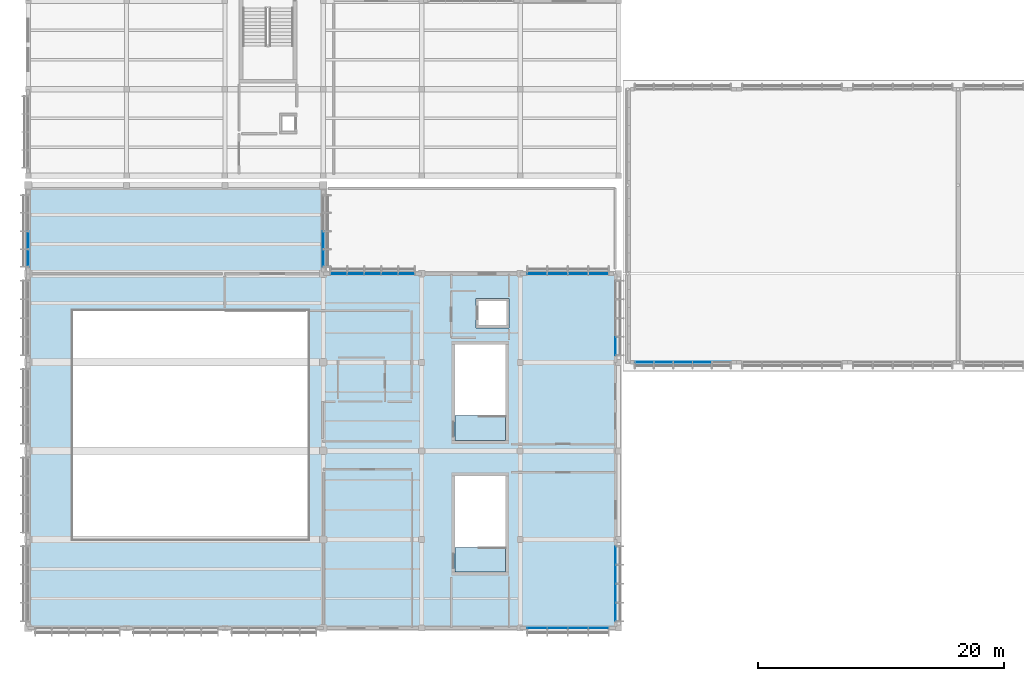
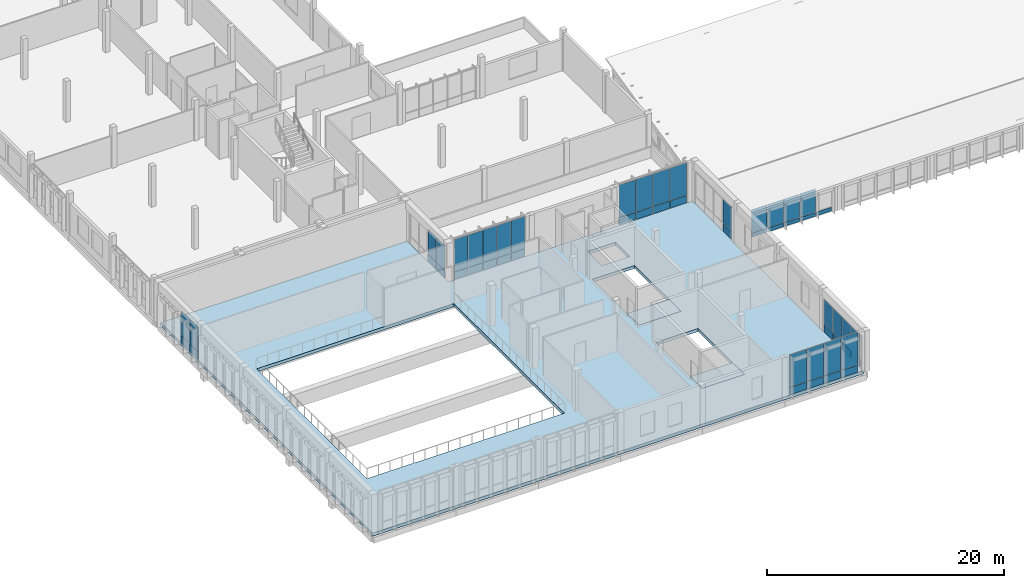
# One storey, part 145 of 182: 53 plates, 3 slabs, 8 elements without a shape of their own.
"""IFC4 building model written with IfcOpenShell, lengths in metres."""

from ifc_helpers import new_model, si_unit, direction, frame, origin, origin_2d, place, context, subcontext, project, spatial, polyline, rectangle, outline, extrude, material, layer, layer_set, type_object, element, aggregate, save


model = new_model("IFC4")

# Units and contexts
model_context = context("Model", 3, precision=1e-05, world=origin(), true_north=direction((0.0, 1.0)))
body_context = subcontext(model_context, "Body", "Model", "MODEL_VIEW")
ifc_project = project(units=[si_unit("LENGTHUNIT", "METRE"), si_unit("AREAUNIT", "SQUARE_METRE"), si_unit("VOLUMEUNIT", "CUBIC_METRE"), si_unit("PLANEANGLEUNIT", "RADIAN"), si_unit("MASSUNIT", "GRAM", prefix="KILO")], contexts=[model_context])

# Site, building, storey
site_placement = place(None, origin())
site = spatial("IfcSite", under=ifc_project, at=site_placement, CompositionType="ELEMENT")
building_placement = place(site_placement, origin())
building = spatial("IfcBuilding", under=site, at=building_placement, Name="Chiffa Square Polytechnic", CompositionType="ELEMENT")
storey_placement = place(building_placement, frame((0.0, 0.0, 9.60009765625)))
storey = spatial("IfcBuildingStorey", under=building, at=storey_placement, Name="L02", CompositionType="ELEMENT", Elevation=9.60009765625)

# Curtain wall, plates
ifc_material_1 = material(Name="Aluminium EN AW-6060 T66 and glulam shading", Category="wood")
curtain_wall_type_1 = type_object("IfcCurtainWallType", Name="CW-VERT-480X380", PredefinedType="USERDEFINED", material=ifc_material_1)
curtain_wall_1_placement = place(storey_placement, origin())
curtain_wall_1 = element("IfcCurtainWall", 1, at=curtain_wall_1_placement, inside=storey, type_object=curtain_wall_type_1, Name="Curtain wall CW-V3-L02-174", ObjectType="CURTAIN WALL", PredefinedType="USERDEFINED")
ifc_material_2 = material(Name="Double glazing", Category="glass")
ifc_layer_1 = layer(ifc_material_2, 0.0439453125, Name="Double glazing")
ifc_layer_set_1 = layer_set([ifc_layer_1], Name="Double glazing")
plate_type_1 = type_object("IfcPlateType", Name="CWP-GLZ-134X118", PredefinedType="CURTAIN_PANEL", material=ifc_layer_set_1)
plate_1_placement = place(storey_placement, frame((0.0, 31.541015625, 0.84033203125), z_axis=(0.0, 0.0, 1.0), x_axis=(0.0, -1.0, 0.0)))
plate_1 = element("IfcPlate", 2, at=plate_1_placement, type_object=plate_type_1, Name="Glazed curtain panel CW-V3-L02-174-PN03", PredefinedType="CURTAIN_PANEL", context=body_context, shape_type="SweptSolid", body=[
    extrude(rectangle(XDim=1.416015625, YDim=0.0439453125, at=origin_2d()), origin(), (0.0, 0.0, 1.0), 2.4951171875),
])
plate_2_placement = place(storey_placement, frame((0.0, 30.0849609375, 0.84033203125), z_axis=(0.0, 0.0, 1.0), x_axis=(0.0, -1.0, 0.0)))
plate_2 = element("IfcPlate", 3, at=plate_2_placement, type_object=plate_type_1, Name="Glazed curtain panel CW-V3-L02-174-PN04", PredefinedType="CURTAIN_PANEL", context=body_context, shape_type="SweptSolid", body=[
    extrude(rectangle(XDim=1.39404296875, YDim=0.0439453125, at=origin_2d()), origin(), (0.0, 0.0, 1.0), 2.4951171875),
])

curtain_wall_type_2 = type_object("IfcCurtainWallType", Name="CW-VERT-360X380", PredefinedType="USERDEFINED", material=ifc_material_1)
curtain_wall_2_placement = place(storey_placement, origin())
curtain_wall_2 = element("IfcCurtainWall", 4, at=curtain_wall_2_placement, inside=storey, type_object=curtain_wall_type_2, Name="Curtain wall CW-V3-L02-173", ObjectType="CURTAIN WALL", PredefinedType="USERDEFINED")
ifc_layer_2 = layer(ifc_material_2, 0.0419921875, Name="Double glazing")
ifc_layer_set_2 = layer_set([ifc_layer_2], Name="Double glazing")
plate_type_2 = type_object("IfcPlateType", Name="CWP-GLZ-136X122", PredefinedType="CURTAIN_PANEL", material=ifc_layer_set_2)
plate_3_placement = place(storey_placement, frame((24.0, 30.0849609375, 0.84033203125), z_axis=(0.0, 0.0, 1.0), x_axis=(0.0, 1.0, 0.0)))
plate_3 = element("IfcPlate", 5, at=plate_3_placement, type_object=plate_type_2, Name="Glazed curtain panel CW-V3-L02-173-PN01", PredefinedType="CURTAIN_PANEL", context=body_context, shape_type="SweptSolid", body=[
    extrude(rectangle(XDim=1.39404296875, YDim=0.0419921875, at=origin_2d()), origin(), (0.0, 0.0, 1.0), 2.4951171875),
])
plate_4_placement = place(storey_placement, frame((24.0, 31.541015625, 0.84033203125), z_axis=(0.0, 0.0, 1.0), x_axis=(0.0, 1.0, 0.0)))
plate_4 = element("IfcPlate", 6, at=plate_4_placement, type_object=plate_type_2, Name="Glazed curtain panel CW-V3-L02-173-PN02", PredefinedType="CURTAIN_PANEL", context=body_context, shape_type="SweptSolid", body=[
    extrude(rectangle(XDim=1.416015625, YDim=0.0419921875, at=origin_2d()), origin(), (0.0, 0.0, 1.0), 2.4951171875),
])

curtain_wall_type_3 = type_object("IfcCurtainWallType", Name="CW-VERT-600X380", PredefinedType="USERDEFINED", material=ifc_material_1)
curtain_wall_3_placement = place(storey_placement, origin())
curtain_wall_3 = element("IfcCurtainWall", 7, at=curtain_wall_3_placement, inside=storey, type_object=curtain_wall_type_3, Name="Curtain wall CW-V3-L02-172", ObjectType="CURTAIN WALL", PredefinedType="USERDEFINED")
ifc_layer_3 = layer(ifc_material_2, 0.0419921875, Name="Double glazing")
ifc_layer_set_3 = layer_set([ifc_layer_3], Name="Double glazing")
plate_type_3 = type_object("IfcPlateType", Name="CWP-GLZ-138X126", PredefinedType="CURTAIN_PANEL", material=ifc_layer_set_3)
plate_5_placement = place(storey_placement, frame((30.757080078125, 28.800048828125, 0.83984375), z_axis=(0.0, 0.0, 1.0), x_axis=(-1.0, 0.0, 0.0)))
plate_5 = element("IfcPlate", 8, at=plate_5_placement, type_object=plate_type_3, Name="Glazed curtain panel CW-V3-L02-172-PN01", PredefinedType="CURTAIN_PANEL", context=body_context, shape_type="SweptSolid", body=[
    extrude(rectangle(XDim=1.31005859375, YDim=0.0419921875, at=origin_2d()), origin(), (0.0, 0.0, 1.0), 3.31005859375),
])
plate_6_placement = place(storey_placement, frame((29.384033203125, 28.800048828125, 0.83984375), z_axis=(0.0, 0.0, 1.0), x_axis=(-1.0, 0.0, 0.0)))
plate_6 = element("IfcPlate", 9, at=plate_6_placement, type_object=plate_type_3, Name="Glazed curtain panel CW-V3-L02-172-PN02", PredefinedType="CURTAIN_PANEL", context=body_context, shape_type="SweptSolid", body=[
    extrude(rectangle(XDim=1.33203125, YDim=0.0419921875, at=origin_2d()), origin(), (0.0, 0.0, 1.0), 3.31005859375),
])
plate_7_placement = place(storey_placement, frame((28.0, 28.800048828125, 0.83984375), z_axis=(0.0, 0.0, 1.0), x_axis=(-1.0, 0.0, 0.0)))
plate_7 = element("IfcPlate", 10, at=plate_7_placement, type_object=plate_type_3, Name="Glazed curtain panel CW-V3-L02-172-PN03", PredefinedType="CURTAIN_PANEL", context=body_context, shape_type="SweptSolid", body=[
    extrude(rectangle(XDim=1.33203125, YDim=0.0419921875, at=origin_2d()), origin(), (0.0, 0.0, 1.0), 3.31005859375),
])
plate_8_placement = place(storey_placement, frame((26.615966796875, 28.800048828125, 0.83984375), z_axis=(0.0, 0.0, 1.0), x_axis=(-1.0, 0.0, 0.0)))
plate_8 = element("IfcPlate", 11, at=plate_8_placement, type_object=plate_type_3, Name="Glazed curtain panel CW-V3-L02-172-PN04", PredefinedType="CURTAIN_PANEL", context=body_context, shape_type="SweptSolid", body=[
    extrude(rectangle(XDim=1.33203125, YDim=0.0419921875, at=origin_2d()), origin(), (0.0, 0.0, 1.0), 3.31005859375),
])
plate_9_placement = place(storey_placement, frame((25.242919921875, 28.800048828125, 0.83984375), z_axis=(0.0, 0.0, 1.0), x_axis=(-1.0, 0.0, 0.0)))
plate_9 = element("IfcPlate", 12, at=plate_9_placement, type_object=plate_type_3, Name="Glazed curtain panel CW-V3-L02-172-PN05", PredefinedType="CURTAIN_PANEL", context=body_context, shape_type="SweptSolid", body=[
    extrude(rectangle(XDim=1.31005859375, YDim=0.0419921875, at=origin_2d()), origin(), (0.0, 0.0, 1.0), 3.31005859375),
])

curtain_wall_type_4 = type_object("IfcCurtainWallType", Name="CW-VERT-300X380", PredefinedType="USERDEFINED", material=ifc_material_1)
curtain_wall_4_placement = place(storey_placement, origin())
curtain_wall_4 = element("IfcCurtainWall", 13, at=curtain_wall_4_placement, inside=storey, type_object=curtain_wall_type_4, Name="Curtain wall CW-V3-L02-171", ObjectType="CURTAIN WALL", PredefinedType="USERDEFINED")
ifc_layer_4 = layer(ifc_material_2, 0.0400390625, Name="Double glazing")
ifc_layer_set_4 = layer_set([ifc_layer_4], Name="Double glazing")
plate_type_4 = type_object("IfcPlateType", Name="CWP-GLZ-140X130", PredefinedType="CURTAIN_PANEL", material=ifc_layer_set_4)
plate_10_placement = place(storey_placement, frame((46.364990234375, 28.800048828125, 0.83984375), z_axis=(0.0, 0.0, 1.0), x_axis=(-1.0, 0.0, 0.0)))
plate_10 = element("IfcPlate", 14, at=plate_10_placement, type_object=plate_type_4, Name="Glazed curtain panel CW-V3-L02-171-PN01", PredefinedType="CURTAIN_PANEL", context=body_context, shape_type="SweptSolid", body=[
    extrude(rectangle(XDim=1.593994140625, YDim=0.0400390625, at=origin_2d()), origin(), (0.0, 0.0, 1.0), 3.31005859375),
])
plate_11_placement = place(storey_placement, frame((44.708984375, 28.800048828125, 0.83984375), z_axis=(0.0, 0.0, 1.0), x_axis=(-1.0, 0.0, 0.0)))
plate_11 = element("IfcPlate", 15, at=plate_11_placement, type_object=plate_type_4, Name="Glazed curtain panel CW-V3-L02-171-PN02", PredefinedType="CURTAIN_PANEL", context=body_context, shape_type="SweptSolid", body=[
    extrude(rectangle(XDim=1.615966796875, YDim=0.0400390625, at=origin_2d()), origin(), (0.0, 0.0, 1.0), 3.31005859375),
])
plate_12_placement = place(storey_placement, frame((43.041015625, 28.800048828125, 0.83984375), z_axis=(0.0, 0.0, 1.0), x_axis=(-1.0, 0.0, 0.0)))
plate_12 = element("IfcPlate", 16, at=plate_12_placement, type_object=plate_type_4, Name="Glazed curtain panel CW-V3-L02-171-PN03", PredefinedType="CURTAIN_PANEL", context=body_context, shape_type="SweptSolid", body=[
    extrude(rectangle(XDim=1.615966796875, YDim=0.0400390625, at=origin_2d()), origin(), (0.0, 0.0, 1.0), 3.31005859375),
])
plate_13_placement = place(storey_placement, frame((41.385009765625, 28.800048828125, 0.83984375), z_axis=(0.0, 0.0, 1.0), x_axis=(-1.0, 0.0, 0.0)))
plate_13 = element("IfcPlate", 17, at=plate_13_placement, type_object=plate_type_4, Name="Glazed curtain panel CW-V3-L02-171-PN04", PredefinedType="CURTAIN_PANEL", context=body_context, shape_type="SweptSolid", body=[
    extrude(rectangle(XDim=1.593994140625, YDim=0.0400390625, at=origin_2d()), origin(), (0.0, 0.0, 1.0), 3.31005859375),
])

# Curtain wall, plate
curtain_wall_type_5 = type_object("IfcCurtainWallType", Name="CW-VERT-450X380", PredefinedType="USERDEFINED", material=ifc_material_1)
curtain_wall_5_placement = place(storey_placement, origin())
curtain_wall_5 = element("IfcCurtainWall", 18, at=curtain_wall_5_placement, inside=storey, type_object=curtain_wall_type_5, Name="Curtain wall CW-V3-L02-170", ObjectType="CURTAIN WALL", PredefinedType="USERDEFINED")
ifc_layer_5 = layer(ifc_material_2, 0.0400390625, Name="Double glazing")
ifc_layer_set_5 = layer_set([ifc_layer_5], Name="Double glazing")
plate_type_5 = type_object("IfcPlateType", Name="CWP-GLZ-144X134", PredefinedType="CURTAIN_PANEL", material=ifc_layer_set_5)
plate_14_placement = place(storey_placement, frame((47.75, 22.916015625, 0.84033203125), z_axis=(0.0, 0.0, 1.0), x_axis=(0.0, 1.0, 0.0)))
plate_14 = element("IfcPlate", 19, at=plate_14_placement, type_object=plate_type_5, Name="Glazed curtain panel CW-V3-L02-170-PN01", PredefinedType="CURTAIN_PANEL", context=body_context, shape_type="SweptSolid", body=[
    extrude(rectangle(XDim=1.4560546875, YDim=0.0400390625, at=origin_2d()), origin(), (0.0, 0.0, 1.0), 2.4951171875),
])

# Curtain wall, plates
curtain_wall_type_6 = type_object("IfcCurtainWallType", Name="CW-VERT-600X440", PredefinedType="USERDEFINED", material=ifc_material_1)
curtain_wall_6_placement = place(storey_placement, origin())
curtain_wall_6 = element("IfcCurtainWall", 20, at=curtain_wall_6_placement, inside=storey, type_object=curtain_wall_type_6, Name="Curtain wall CW-V3-L02-169", ObjectType="CURTAIN WALL", PredefinedType="USERDEFINED")
ifc_layer_6 = layer(ifc_material_2, 0.0380859375, Name="Double glazing")
ifc_layer_set_6 = layer_set([ifc_layer_6], Name="Double glazing")
plate_type_6 = type_object("IfcPlateType", Name="CWP-GLZ-146X138", PredefinedType="CURTAIN_PANEL", material=ifc_layer_set_6)
plate_15_placement = place(storey_placement, frame((47.75, 1.31591796875, 0.84033203125), z_axis=(0.0, 0.0, 1.0), x_axis=(0.0, 1.0, 0.0)))
plate_15 = element("IfcPlate", 21, at=plate_15_placement, type_object=plate_type_6, Name="Glazed curtain panel CW-V3-L02-169-PN01", PredefinedType="CURTAIN_PANEL", context=body_context, shape_type="SweptSolid", body=[
    extrude(rectangle(XDim=1.4560546875, YDim=0.0380859375, at=origin_2d()), origin(), (0.0, 0.0, 1.0), 2.4951171875),
])
plate_16_placement = place(storey_placement, frame((47.75, 2.8349609375, 0.84033203125), z_axis=(0.0, 0.0, 1.0), x_axis=(0.0, 1.0, 0.0)))
plate_16 = element("IfcPlate", 22, at=plate_16_placement, type_object=plate_type_6, Name="Glazed curtain panel CW-V3-L02-169-PN02", PredefinedType="CURTAIN_PANEL", context=body_context, shape_type="SweptSolid", body=[
    extrude(rectangle(XDim=1.47802734375, YDim=0.0380859375, at=origin_2d()), origin(), (0.0, 0.0, 1.0), 2.4951171875),
])
plate_17_placement = place(storey_placement, frame((47.75, 4.364990234375, 0.84033203125), z_axis=(0.0, 0.0, 1.0), x_axis=(0.0, 1.0, 0.0)))
plate_17 = element("IfcPlate", 23, at=plate_17_placement, type_object=plate_type_6, Name="Glazed curtain panel CW-V3-L02-169-PN03", PredefinedType="CURTAIN_PANEL", context=body_context, shape_type="SweptSolid", body=[
    extrude(rectangle(XDim=1.47802734375, YDim=0.0380859375, at=origin_2d()), origin(), (0.0, 0.0, 1.0), 2.4951171875),
])
plate_18_placement = place(storey_placement, frame((47.75, 5.884033203125, 0.84033203125), z_axis=(0.0, 0.0, 1.0), x_axis=(0.0, 1.0, 0.0)))
plate_18 = element("IfcPlate", 24, at=plate_18_placement, type_object=plate_type_6, Name="Glazed curtain panel CW-V3-L02-169-PN04", PredefinedType="CURTAIN_PANEL", context=body_context, shape_type="SweptSolid", body=[
    extrude(rectangle(XDim=1.4560546875, YDim=0.0380859375, at=origin_2d()), origin(), (0.0, 0.0, 1.0), 2.4951171875),
])

curtain_wall_type_7 = type_object("IfcCurtainWallType", Name="CW-VERT-450X440", PredefinedType="USERDEFINED", material=ifc_material_1)
curtain_wall_7_placement = place(storey_placement, origin())
curtain_wall_7 = element("IfcCurtainWall", 25, at=curtain_wall_7_placement, inside=storey, type_object=curtain_wall_type_7, Name="Curtain wall CW-V3-L02-168", ObjectType="CURTAIN WALL", PredefinedType="USERDEFINED")
ifc_layer_7 = layer(ifc_material_2, 0.0380859375, Name="Double glazing")
ifc_layer_set_7 = layer_set([ifc_layer_7], Name="Double glazing")
plate_type_7 = type_object("IfcPlateType", Name="CWP-GLZ-148X142", PredefinedType="CURTAIN_PANEL", material=ifc_layer_set_7)
plate_19_placement = place(storey_placement, frame((41.385009765625, 0.0, 0.83984375), z_axis=(0.0, 0.0, 1.0), x_axis=(1.0, 0.0, 0.0)))
plate_19 = element("IfcPlate", 26, at=plate_19_placement, type_object=plate_type_7, Name="Glazed curtain panel CW-V3-L02-168-PN01", PredefinedType="CURTAIN_PANEL", context=body_context, shape_type="SweptSolid", body=[
    extrude(rectangle(XDim=1.593994140625, YDim=0.0380859375, at=origin_2d()), origin(), (0.0, 0.0, 1.0), 3.31005859375),
])
plate_20_placement = place(storey_placement, frame((43.041015625, 0.0, 0.83984375), z_axis=(0.0, 0.0, 1.0), x_axis=(1.0, 0.0, 0.0)))
plate_20 = element("IfcPlate", 27, at=plate_20_placement, type_object=plate_type_7, Name="Glazed curtain panel CW-V3-L02-168-PN02", PredefinedType="CURTAIN_PANEL", context=body_context, shape_type="SweptSolid", body=[
    extrude(rectangle(XDim=1.615966796875, YDim=0.0380859375, at=origin_2d()), origin(), (0.0, 0.0, 1.0), 3.31005859375),
])
plate_21_placement = place(storey_placement, frame((44.708984375, 0.0, 0.83984375), z_axis=(0.0, 0.0, 1.0), x_axis=(1.0, 0.0, 0.0)))
plate_21 = element("IfcPlate", 28, at=plate_21_placement, type_object=plate_type_7, Name="Glazed curtain panel CW-V3-L02-168-PN03", PredefinedType="CURTAIN_PANEL", context=body_context, shape_type="SweptSolid", body=[
    extrude(rectangle(XDim=1.615966796875, YDim=0.0380859375, at=origin_2d()), origin(), (0.0, 0.0, 1.0), 3.31005859375),
])
plate_22_placement = place(storey_placement, frame((46.364990234375, 0.0, 0.83984375), z_axis=(0.0, 0.0, 1.0), x_axis=(1.0, 0.0, 0.0)))
plate_22 = element("IfcPlate", 29, at=plate_22_placement, type_object=plate_type_7, Name="Glazed curtain panel CW-V3-L02-168-PN04", PredefinedType="CURTAIN_PANEL", context=body_context, shape_type="SweptSolid", body=[
    extrude(rectangle(XDim=1.593994140625, YDim=0.0380859375, at=origin_2d()), origin(), (0.0, 0.0, 1.0), 3.31005859375),
])

curtain_wall_8_placement = place(storey_placement, origin())
curtain_wall_8 = element("IfcCurtainWall", 30, at=curtain_wall_8_placement, inside=storey, type_object=curtain_wall_type_6, Name="Curtain wall CW-V4-CLRS-01", ObjectType="CURTAIN WALL", PredefinedType="USERDEFINED")
ifc_layer_8 = layer(ifc_material_2, 0.035888671875, Name="Double glazing")
ifc_layer_set_8 = layer_set([ifc_layer_8], Name="Double glazing")
plate_type_8 = type_object("IfcPlateType", Name="CWP-GLZ-150X145", PredefinedType="CURTAIN_PANEL", material=ifc_layer_set_8)
plate_23_placement = place(storey_placement, frame((50.087890625, 21.60009765625, 0.509765625), z_axis=(0.0, 0.0, 1.0), x_axis=(1.0, 0.0, 0.0)))
plate_23 = element("IfcPlate", 31, at=plate_23_placement, type_object=plate_type_8, Name="Glazed curtain panel CW-V4-CLRS-01-PN01", PredefinedType="CURTAIN_PANEL", context=body_context, shape_type="SweptSolid", body=[
    extrude(rectangle(XDim=1.5, YDim=0.035888671875, at=origin_2d()), origin(), (0.0, 0.0, 1.0), 2.382080078125),
])
plate_24_placement = place(storey_placement, frame((51.65087890625, 21.60009765625, 0.509765625), z_axis=(0.0, 0.0, 1.0), x_axis=(1.0, 0.0, 0.0)))
plate_24 = element("IfcPlate", 32, at=plate_24_placement, type_object=plate_type_8, Name="Glazed curtain panel CW-V4-CLRS-01-PN02", PredefinedType="CURTAIN_PANEL", context=body_context, shape_type="SweptSolid", body=[
    extrude(rectangle(XDim=1.52197265625, YDim=0.035888671875, at=origin_2d()), origin(), (0.0, 0.0, 1.0), 2.382080078125),
])
plate_25_placement = place(storey_placement, frame((53.22509765625, 21.60009765625, 0.509765625), z_axis=(0.0, 0.0, 1.0), x_axis=(1.0, 0.0, 0.0)))
plate_25 = element("IfcPlate", 33, at=plate_25_placement, type_object=plate_type_8, Name="Glazed curtain panel CW-V4-CLRS-01-PN03", PredefinedType="CURTAIN_PANEL", context=body_context, shape_type="SweptSolid", body=[
    extrude(rectangle(XDim=1.52197265625, YDim=0.035888671875, at=origin_2d()), origin(), (0.0, 0.0, 1.0), 2.382080078125),
])
plate_26_placement = place(storey_placement, frame((54.799072265625, 21.60009765625, 0.509765625), z_axis=(0.0, 0.0, 1.0), x_axis=(1.0, 0.0, 0.0)))
plate_26 = element("IfcPlate", 34, at=plate_26_placement, type_object=plate_type_8, Name="Glazed curtain panel CW-V4-CLRS-01-PN04", PredefinedType="CURTAIN_PANEL", context=body_context, shape_type="SweptSolid", body=[
    extrude(rectangle(XDim=1.52197265625, YDim=0.035888671875, at=origin_2d()), origin(), (0.0, 0.0, 1.0), 2.382080078125),
])

# Plate
ifc_material_3 = material(Name="Aluminium insulated spandrel", Category="aluminium")
ifc_layer_9 = layer(ifc_material_3, 0.072021484375, Name="Aluminium insulated spandrel")
ifc_layer_set_9 = layer_set([ifc_layer_9], Name="Aluminium insulated spandrel")
plate_type_9 = type_object("IfcPlateType", Name="CWP-SPN-136X072", PredefinedType="SHEET", material=ifc_layer_set_9)
plate_27_placement = place(storey_placement, frame((24.0, 30.0849609375, 0.0498046875), z_axis=(0.0, 0.0, 1.0), x_axis=(0.0, 1.0, 0.0)))
plate_27 = element("IfcPlate", 35, at=plate_27_placement, type_object=plate_type_9, Name="Spandrel panel CW-V3-L02-173-SP01", PredefinedType="SHEET", context=body_context, shape_type="SweptSolid", body=[
    extrude(rectangle(XDim=1.39404296875, YDim=0.072021484375, at=origin_2d()), origin(), (0.0, 0.0, 1.0), 0.75),
])

plate_28_placement = place(storey_placement, frame((24.0, 31.541015625, 0.0498046875), z_axis=(0.0, 0.0, 1.0), x_axis=(0.0, 1.0, 0.0)))
plate_28 = element("IfcPlate", 36, at=plate_28_placement, type_object=plate_type_9, Name="Spandrel panel CW-V3-L02-173-SP02", PredefinedType="SHEET", context=body_context, shape_type="SweptSolid", body=[
    extrude(rectangle(XDim=1.416015625, YDim=0.072021484375, at=origin_2d()), origin(), (0.0, 0.0, 1.0), 0.75),
])

aggregate(curtain_wall_2, [plate_27, plate_3, plate_28, plate_4])

ifc_layer_10 = layer(ifc_material_3, 0.070068359375, Name="Aluminium insulated spandrel")
ifc_layer_set_10 = layer_set([ifc_layer_10], Name="Aluminium insulated spandrel")
plate_type_10 = type_object("IfcPlateType", Name="CWP-SPN-138X074", PredefinedType="SHEET", material=ifc_layer_set_10)
plate_29_placement = place(storey_placement, frame((30.757080078125, 28.800048828125, 0.0498046875), z_axis=(0.0, 0.0, 1.0), x_axis=(-1.0, 0.0, 0.0)))
plate_29 = element("IfcPlate", 37, at=plate_29_placement, type_object=plate_type_10, Name="Spandrel panel CW-V3-L02-172-SP01", PredefinedType="SHEET", context=body_context, shape_type="SweptSolid", body=[
    extrude(rectangle(XDim=1.31005859375, YDim=0.070068359375, at=origin_2d()), origin(), (0.0, 0.0, 1.0), 0.75),
])

plate_30_placement = place(storey_placement, frame((29.384033203125, 28.800048828125, 0.0498046875), z_axis=(0.0, 0.0, 1.0), x_axis=(-1.0, 0.0, 0.0)))
plate_30 = element("IfcPlate", 38, at=plate_30_placement, type_object=plate_type_10, Name="Spandrel panel CW-V3-L02-172-SP02", PredefinedType="SHEET", context=body_context, shape_type="SweptSolid", body=[
    extrude(rectangle(XDim=1.33203125, YDim=0.070068359375, at=origin_2d()), origin(), (0.0, 0.0, 1.0), 0.75),
])

plate_31_placement = place(storey_placement, frame((28.0, 28.800048828125, 0.0498046875), z_axis=(0.0, 0.0, 1.0), x_axis=(-1.0, 0.0, 0.0)))
plate_31 = element("IfcPlate", 39, at=plate_31_placement, type_object=plate_type_10, Name="Spandrel panel CW-V3-L02-172-SP03", PredefinedType="SHEET", context=body_context, shape_type="SweptSolid", body=[
    extrude(rectangle(XDim=1.33203125, YDim=0.070068359375, at=origin_2d()), origin(), (0.0, 0.0, 1.0), 0.75),
])

plate_32_placement = place(storey_placement, frame((26.615966796875, 28.800048828125, 0.0498046875), z_axis=(0.0, 0.0, 1.0), x_axis=(-1.0, 0.0, 0.0)))
plate_32 = element("IfcPlate", 40, at=plate_32_placement, type_object=plate_type_10, Name="Spandrel panel CW-V3-L02-172-SP04", PredefinedType="SHEET", context=body_context, shape_type="SweptSolid", body=[
    extrude(rectangle(XDim=1.33203125, YDim=0.070068359375, at=origin_2d()), origin(), (0.0, 0.0, 1.0), 0.75),
])

plate_33_placement = place(storey_placement, frame((25.242919921875, 28.800048828125, 0.0498046875), z_axis=(0.0, 0.0, 1.0), x_axis=(-1.0, 0.0, 0.0)))
plate_33 = element("IfcPlate", 41, at=plate_33_placement, type_object=plate_type_10, Name="Spandrel panel CW-V3-L02-172-SP05", PredefinedType="SHEET", context=body_context, shape_type="SweptSolid", body=[
    extrude(rectangle(XDim=1.31005859375, YDim=0.070068359375, at=origin_2d()), origin(), (0.0, 0.0, 1.0), 0.75),
])

aggregate(curtain_wall_3, [plate_29, plate_5, plate_30, plate_6, plate_31, plate_7, plate_32, plate_8, plate_33, plate_9])

ifc_layer_11 = layer(ifc_material_3, 0.068115234375, Name="Aluminium insulated spandrel")
ifc_layer_set_11 = layer_set([ifc_layer_11], Name="Aluminium insulated spandrel")
plate_type_11 = type_object("IfcPlateType", Name="CWP-SPN-140X076", PredefinedType="SHEET", material=ifc_layer_set_11)
plate_34_placement = place(storey_placement, frame((46.364990234375, 28.800048828125, 0.0498046875), z_axis=(0.0, 0.0, 1.0), x_axis=(-1.0, 0.0, 0.0)))
plate_34 = element("IfcPlate", 42, at=plate_34_placement, type_object=plate_type_11, Name="Spandrel panel CW-V3-L02-171-SP01", PredefinedType="SHEET", context=body_context, shape_type="SweptSolid", body=[
    extrude(rectangle(XDim=1.593994140625, YDim=0.068115234375, at=origin_2d()), origin(), (0.0, 0.0, 1.0), 0.75),
])

plate_35_placement = place(storey_placement, frame((44.708984375, 28.800048828125, 0.0498046875), z_axis=(0.0, 0.0, 1.0), x_axis=(-1.0, 0.0, 0.0)))
plate_35 = element("IfcPlate", 43, at=plate_35_placement, type_object=plate_type_11, Name="Spandrel panel CW-V3-L02-171-SP02", PredefinedType="SHEET", context=body_context, shape_type="SweptSolid", body=[
    extrude(rectangle(XDim=1.615966796875, YDim=0.068115234375, at=origin_2d()), origin(), (0.0, 0.0, 1.0), 0.75),
])

plate_36_placement = place(storey_placement, frame((43.041015625, 28.800048828125, 0.0498046875), z_axis=(0.0, 0.0, 1.0), x_axis=(-1.0, 0.0, 0.0)))
plate_36 = element("IfcPlate", 44, at=plate_36_placement, type_object=plate_type_11, Name="Spandrel panel CW-V3-L02-171-SP03", PredefinedType="SHEET", context=body_context, shape_type="SweptSolid", body=[
    extrude(rectangle(XDim=1.615966796875, YDim=0.068115234375, at=origin_2d()), origin(), (0.0, 0.0, 1.0), 0.75),
])

plate_37_placement = place(storey_placement, frame((41.385009765625, 28.800048828125, 0.0498046875), z_axis=(0.0, 0.0, 1.0), x_axis=(-1.0, 0.0, 0.0)))
plate_37 = element("IfcPlate", 45, at=plate_37_placement, type_object=plate_type_11, Name="Spandrel panel CW-V3-L02-171-SP04", PredefinedType="SHEET", context=body_context, shape_type="SweptSolid", body=[
    extrude(rectangle(XDim=1.593994140625, YDim=0.068115234375, at=origin_2d()), origin(), (0.0, 0.0, 1.0), 0.75),
])

aggregate(curtain_wall_4, [plate_34, plate_10, plate_35, plate_11, plate_36, plate_12, plate_37, plate_13])

ifc_layer_12 = layer(ifc_material_3, 0.06591796875, Name="Aluminium insulated spandrel")
ifc_layer_set_12 = layer_set([ifc_layer_12], Name="Aluminium insulated spandrel")
plate_type_12 = type_object("IfcPlateType", Name="CWP-SPN-144X078", PredefinedType="SHEET", material=ifc_layer_set_12)
plate_38_placement = place(storey_placement, frame((47.75, 22.916015625, 0.0498046875), z_axis=(0.0, 0.0, 1.0), x_axis=(0.0, 1.0, 0.0)))
plate_38 = element("IfcPlate", 46, at=plate_38_placement, type_object=plate_type_12, Name="Spandrel panel CW-V3-L02-170-SP01", PredefinedType="SHEET", context=body_context, shape_type="SweptSolid", body=[
    extrude(rectangle(XDim=1.4560546875, YDim=0.06591796875, at=origin_2d()), origin(), (0.0, 0.0, 1.0), 0.75),
])

aggregate(curtain_wall_5, [plate_38, plate_14])

ifc_layer_13 = layer(ifc_material_3, 0.06396484375, Name="Aluminium insulated spandrel")
ifc_layer_set_13 = layer_set([ifc_layer_13], Name="Aluminium insulated spandrel")
plate_type_13 = type_object("IfcPlateType", Name="CWP-SPN-146X082", PredefinedType="SHEET", material=ifc_layer_set_13)
plate_39_placement = place(storey_placement, frame((47.75, 1.31591796875, 0.0498046875), z_axis=(0.0, 0.0, 1.0), x_axis=(0.0, 1.0, 0.0)))
plate_39 = element("IfcPlate", 47, at=plate_39_placement, type_object=plate_type_13, Name="Spandrel panel CW-V3-L02-169-SP01", PredefinedType="SHEET", context=body_context, shape_type="SweptSolid", body=[
    extrude(rectangle(XDim=1.4560546875, YDim=0.06396484375, at=origin_2d()), origin(), (0.0, 0.0, 1.0), 0.75),
])

plate_40_placement = place(storey_placement, frame((47.75, 2.8349609375, 0.0498046875), z_axis=(0.0, 0.0, 1.0), x_axis=(0.0, 1.0, 0.0)))
plate_40 = element("IfcPlate", 48, at=plate_40_placement, type_object=plate_type_13, Name="Spandrel panel CW-V3-L02-169-SP02", PredefinedType="SHEET", context=body_context, shape_type="SweptSolid", body=[
    extrude(rectangle(XDim=1.47802734375, YDim=0.06396484375, at=origin_2d()), origin(), (0.0, 0.0, 1.0), 0.75),
])

plate_41_placement = place(storey_placement, frame((47.75, 4.364990234375, 0.0498046875), z_axis=(0.0, 0.0, 1.0), x_axis=(0.0, 1.0, 0.0)))
plate_41 = element("IfcPlate", 49, at=plate_41_placement, type_object=plate_type_13, Name="Spandrel panel CW-V3-L02-169-SP03", PredefinedType="SHEET", context=body_context, shape_type="SweptSolid", body=[
    extrude(rectangle(XDim=1.47802734375, YDim=0.06396484375, at=origin_2d()), origin(), (0.0, 0.0, 1.0), 0.75),
])

plate_42_placement = place(storey_placement, frame((47.75, 5.884033203125, 0.0498046875), z_axis=(0.0, 0.0, 1.0), x_axis=(0.0, 1.0, 0.0)))
plate_42 = element("IfcPlate", 50, at=plate_42_placement, type_object=plate_type_13, Name="Spandrel panel CW-V3-L02-169-SP04", PredefinedType="SHEET", context=body_context, shape_type="SweptSolid", body=[
    extrude(rectangle(XDim=1.4560546875, YDim=0.06396484375, at=origin_2d()), origin(), (0.0, 0.0, 1.0), 0.75),
])

aggregate(curtain_wall_6, [plate_39, plate_15, plate_40, plate_16, plate_41, plate_17, plate_42, plate_18])

ifc_layer_14 = layer(ifc_material_3, 0.06201171875, Name="Aluminium insulated spandrel")
ifc_layer_set_14 = layer_set([ifc_layer_14], Name="Aluminium insulated spandrel")
plate_type_14 = type_object("IfcPlateType", Name="CWP-SPN-148X084", PredefinedType="SHEET", material=ifc_layer_set_14)
plate_43_placement = place(storey_placement, frame((41.385009765625, 0.0, 0.0498046875), z_axis=(0.0, 0.0, 1.0), x_axis=(1.0, 0.0, 0.0)))
plate_43 = element("IfcPlate", 51, at=plate_43_placement, type_object=plate_type_14, Name="Spandrel panel CW-V3-L02-168-SP01", PredefinedType="SHEET", context=body_context, shape_type="SweptSolid", body=[
    extrude(rectangle(XDim=1.593994140625, YDim=0.06201171875, at=origin_2d()), origin(), (0.0, 0.0, 1.0), 0.75),
])

plate_44_placement = place(storey_placement, frame((43.041015625, 0.0, 0.0498046875), z_axis=(0.0, 0.0, 1.0), x_axis=(1.0, 0.0, 0.0)))
plate_44 = element("IfcPlate", 52, at=plate_44_placement, type_object=plate_type_14, Name="Spandrel panel CW-V3-L02-168-SP02", PredefinedType="SHEET", context=body_context, shape_type="SweptSolid", body=[
    extrude(rectangle(XDim=1.615966796875, YDim=0.06201171875, at=origin_2d()), origin(), (0.0, 0.0, 1.0), 0.75),
])

plate_45_placement = place(storey_placement, frame((44.708984375, 0.0, 0.0498046875), z_axis=(0.0, 0.0, 1.0), x_axis=(1.0, 0.0, 0.0)))
plate_45 = element("IfcPlate", 53, at=plate_45_placement, type_object=plate_type_14, Name="Spandrel panel CW-V3-L02-168-SP03", PredefinedType="SHEET", context=body_context, shape_type="SweptSolid", body=[
    extrude(rectangle(XDim=1.615966796875, YDim=0.06201171875, at=origin_2d()), origin(), (0.0, 0.0, 1.0), 0.75),
])

plate_46_placement = place(storey_placement, frame((46.364990234375, 0.0, 0.0498046875), z_axis=(0.0, 0.0, 1.0), x_axis=(1.0, 0.0, 0.0)))
plate_46 = element("IfcPlate", 54, at=plate_46_placement, type_object=plate_type_14, Name="Spandrel panel CW-V3-L02-168-SP04", PredefinedType="SHEET", context=body_context, shape_type="SweptSolid", body=[
    extrude(rectangle(XDim=1.593994140625, YDim=0.06201171875, at=origin_2d()), origin(), (0.0, 0.0, 1.0), 0.75),
])

aggregate(curtain_wall_7, [plate_43, plate_19, plate_44, plate_20, plate_45, plate_21, plate_46, plate_22])

ifc_layer_15 = layer(ifc_material_3, 0.06005859375, Name="Aluminium insulated spandrel")
ifc_layer_set_15 = layer_set([ifc_layer_15], Name="Aluminium insulated spandrel")
plate_type_15 = type_object("IfcPlateType", Name="CWP-SPN-150X095", PredefinedType="SHEET", material=ifc_layer_set_15)
plate_47_placement = place(storey_placement, frame((0.0, 31.541015625, 0.0498046875), z_axis=(0.0, 0.0, 1.0), x_axis=(0.0, -1.0, 0.0)))
plate_47 = element("IfcPlate", 55, at=plate_47_placement, type_object=plate_type_15, Name="Spandrel panel CW-V3-L02-174-SP03", PredefinedType="SHEET", context=body_context, shape_type="SweptSolid", body=[
    extrude(rectangle(XDim=1.416015625, YDim=0.06005859375, at=origin_2d()), origin(), (0.0, 0.0, 1.0), 0.75),
])

plate_48_placement = place(storey_placement, frame((0.0, 30.0849609375, 0.0498046875), z_axis=(0.0, 0.0, 1.0), x_axis=(0.0, -1.0, 0.0)))
plate_48 = element("IfcPlate", 56, at=plate_48_placement, type_object=plate_type_15, Name="Spandrel panel CW-V3-L02-174-SP04", PredefinedType="SHEET", context=body_context, shape_type="SweptSolid", body=[
    extrude(rectangle(XDim=1.39404296875, YDim=0.06005859375, at=origin_2d()), origin(), (0.0, 0.0, 1.0), 0.75),
])

aggregate(curtain_wall_1, [plate_47, plate_1, plate_48, plate_2])

plate_49_placement = place(storey_placement, frame((50.087890625, 21.60009765625, 0.08984375), z_axis=(0.0, 0.0, 1.0), x_axis=(1.0, 0.0, 0.0)))
plate_49 = element("IfcPlate", 57, at=plate_49_placement, type_object=plate_type_15, Name="Spandrel panel CW-V4-CLRS-01-SP01", PredefinedType="SHEET", context=body_context, shape_type="SweptSolid", body=[
    extrude(rectangle(XDim=1.5, YDim=0.06005859375, at=origin_2d()), origin(), (0.0, 0.0, 1.0), 0.3798828125),
])

plate_50_placement = place(storey_placement, frame((51.65087890625, 21.60009765625, 0.08984375), z_axis=(0.0, 0.0, 1.0), x_axis=(1.0, 0.0, 0.0)))
plate_50 = element("IfcPlate", 58, at=plate_50_placement, type_object=plate_type_15, Name="Spandrel panel CW-V4-CLRS-01-SP02", PredefinedType="SHEET", context=body_context, shape_type="SweptSolid", body=[
    extrude(rectangle(XDim=1.52197265625, YDim=0.06005859375, at=origin_2d()), origin(), (0.0, 0.0, 1.0), 0.3798828125),
])

plate_51_placement = place(storey_placement, frame((53.22509765625, 21.60009765625, 0.08984375), z_axis=(0.0, 0.0, 1.0), x_axis=(1.0, 0.0, 0.0)))
plate_51 = element("IfcPlate", 59, at=plate_51_placement, type_object=plate_type_15, Name="Spandrel panel CW-V4-CLRS-01-SP03", PredefinedType="SHEET", context=body_context, shape_type="SweptSolid", body=[
    extrude(rectangle(XDim=1.52197265625, YDim=0.06005859375, at=origin_2d()), origin(), (0.0, 0.0, 1.0), 0.3798828125),
])

plate_52_placement = place(storey_placement, frame((54.799072265625, 21.60009765625, 0.08984375), z_axis=(0.0, 0.0, 1.0), x_axis=(1.0, 0.0, 0.0)))
plate_52 = element("IfcPlate", 60, at=plate_52_placement, type_object=plate_type_15, Name="Spandrel panel CW-V4-CLRS-01-SP04", PredefinedType="SHEET", context=body_context, shape_type="SweptSolid", body=[
    extrude(rectangle(XDim=1.52197265625, YDim=0.06005859375, at=origin_2d()), origin(), (0.0, 0.0, 1.0), 0.3798828125),
])

plate_53_placement = place(storey_placement, frame((56.362060546875, 21.60009765625, 0.08984375), z_axis=(0.0, 0.0, 1.0), x_axis=(1.0, 0.0, 0.0)))
plate_53 = element("IfcPlate", 61, at=plate_53_placement, type_object=plate_type_15, Name="Spandrel panel CW-V4-CLRS-01-SP05", PredefinedType="SHEET", context=body_context, shape_type="SweptSolid", body=[
    extrude(rectangle(XDim=1.5, YDim=0.06005859375, at=origin_2d()), origin(), (0.0, 0.0, 1.0), 0.3798828125),
])

aggregate(curtain_wall_8, [plate_49, plate_23, plate_50, plate_24, plate_51, plate_25, plate_52, plate_26, plate_53])

# Slabs
ifc_material_4 = material(Name="Concrete C40/50", Category="concrete")
ifc_layer_16 = layer(ifc_material_4, 0.320068359375, Name="Concrete C40/50")
ifc_layer_set_16 = layer_set([ifc_layer_16], Name="Concrete C40/50")
slab_type_1 = type_object("IfcSlabType", Name="SLB-FLR-320", PredefinedType="FLOOR", material=ifc_layer_set_16)
slab_1_placement = place(storey_placement, frame((0.0, 0.0, -0.320068359375)))
element("IfcSlab", 62, at=slab_1_placement, inside=storey, type_object=slab_type_1, Name="V3 L02 structural slab SLB-V3-L02-013", PredefinedType="FLOOR", context=body_context, shape_type="SweptSolid", body=[
    extrude(outline(polyline([(0.0, 35.75), (24.0, 35.75), (24.0, 28.800048828125), (47.75, 28.800048828125), (47.75, 0.0), (0.0, 0.0), (0.0, 35.75)]), holes=[polyline([(34.699951171875, 4.550048828125), (34.699951171875, 12.35009765625), (38.800048828125, 12.35009765625), (38.800048828125, 4.550048828125), (34.699951171875, 4.550048828125)]), polyline([(34.699951171875, 15.25), (34.699951171875, 23.050048828125), (38.800048828125, 23.050048828125), (38.800048828125, 15.25), (34.699951171875, 15.25)]), polyline([(36.39990234375, 26.800048828125), (39.10009765625, 26.800048828125), (39.10009765625, 24.39990234375), (36.39990234375, 24.39990234375), (36.39990234375, 26.800048828125)]), polyline([(3.60009765625, 25.800048828125), (22.800048828125, 25.800048828125), (22.800048828125, 7.199951171875), (3.60009765625, 7.199951171875), (3.60009765625, 25.800048828125)])]), origin(), (0.0, 0.0, 1.0), 0.320068359375),
])
ifc_layer_17 = layer(ifc_material_4, 0.35009765625, Name="Concrete C40/50")
ifc_layer_set_17 = layer_set([ifc_layer_17], Name="Concrete C40/50")
slab_type_2 = type_object("IfcSlabType", Name="SLB-FLR-350", PredefinedType="FLOOR", material=ifc_layer_set_17)
slab_2_placement = place(storey_placement, frame((0.0, 0.0, -0.35009765625)))
element("IfcSlab", 63, at=slab_2_placement, inside=storey, type_object=slab_type_2, Name="Stair core floor landing slab SLB-CORE-CORE-V3A-L02", PredefinedType="FLOOR", context=body_context, shape_type="SweptSolid", body=[
    extrude(outline(polyline([(38.800048828125, 4.550048828125), (38.800048828125, 6.56201171875), (34.699951171875, 6.56201171875), (34.699951171875, 4.550048828125), (38.800048828125, 4.550048828125)])), origin(), (0.0, 0.0, 1.0), 0.35009765625),
])
slab_3_placement = place(storey_placement, frame((0.0, 0.0, -0.35009765625)))
element("IfcSlab", 64, at=slab_3_placement, inside=storey, type_object=slab_type_2, Name="Stair core floor landing slab SLB-CORE-CORE-V3B-L02", PredefinedType="FLOOR", context=body_context, shape_type="SweptSolid", body=[
    extrude(outline(polyline([(38.800048828125, 15.25), (38.800048828125, 17.261962890625), (34.699951171875, 17.261962890625), (34.699951171875, 15.25), (38.800048828125, 15.25)])), origin(), (0.0, 0.0, 1.0), 0.35009765625),
])

save(model, "model.ifc")
